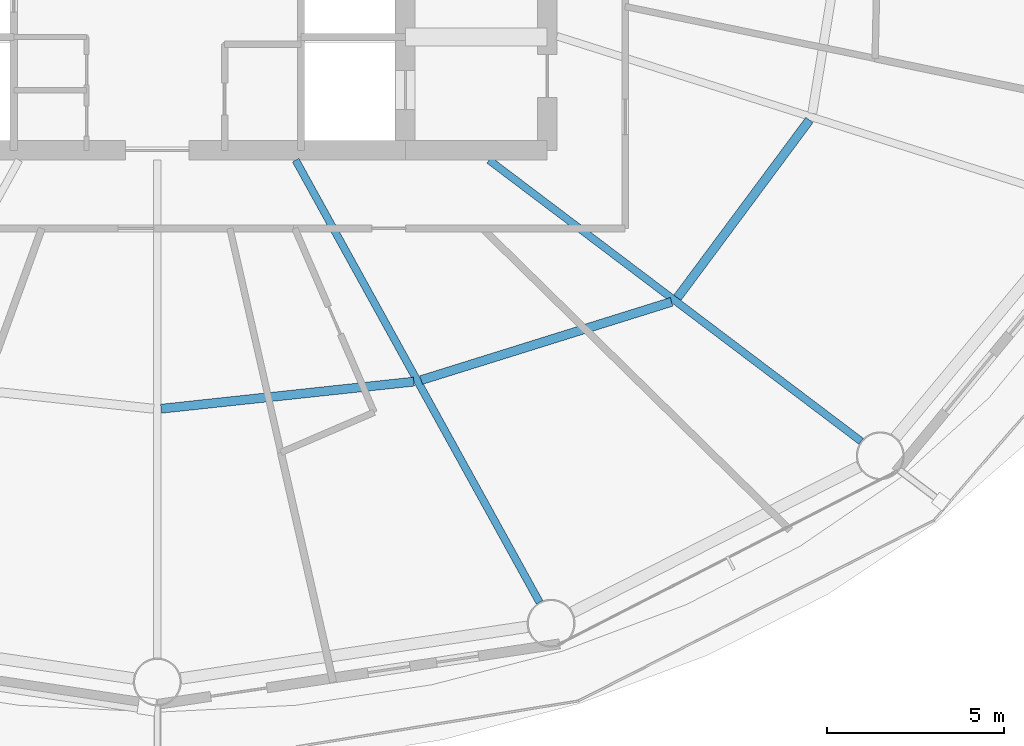
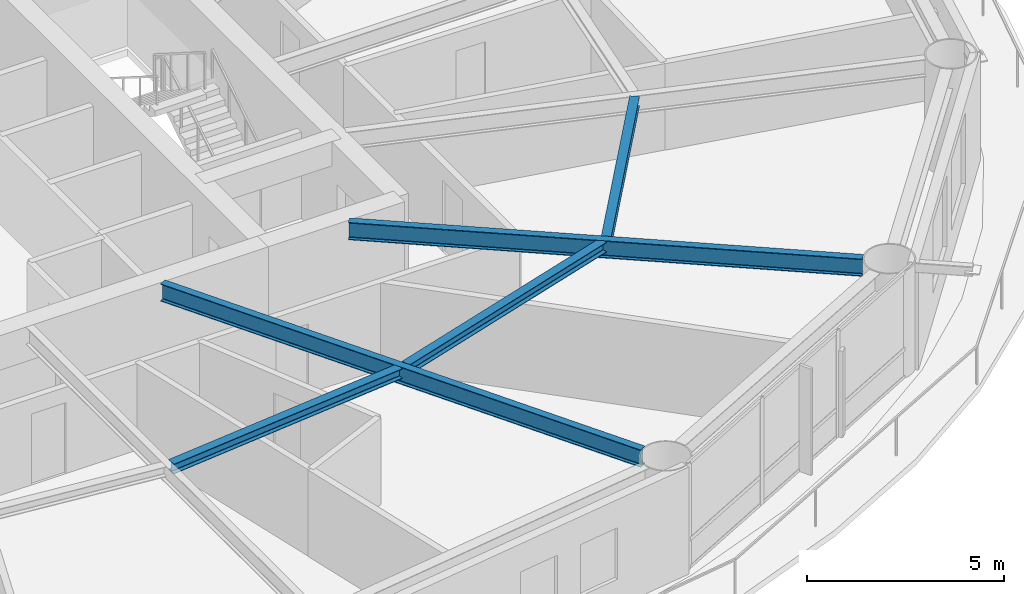
# One storey, part 5 of 24: 5 beams.
"""IFC4 building model written with IfcOpenShell, lengths in metres."""

from ifc_helpers import new_model, si_unit, direction, frame, origin, origin_2d, place, context, subcontext, project, spatial, i_section, extrude, material, material_profile, profile_set, type_object, element, save


model = new_model("IFC4")

# Units and contexts
model_context = context("Model", 3, precision=1e-05, world=origin(), true_north=direction((0.0, 1.0)))
body_context = subcontext(model_context, "Body", "Model", "MODEL_VIEW")
ifc_project = project(units=[si_unit("LENGTHUNIT", "METRE"), si_unit("AREAUNIT", "SQUARE_METRE"), si_unit("VOLUMEUNIT", "CUBIC_METRE"), si_unit("PLANEANGLEUNIT", "RADIAN"), si_unit("MASSUNIT", "GRAM", prefix="KILO")], contexts=[model_context])

# Site, building, storey
site_placement = place(None, origin())
site = spatial("IfcSite", under=ifc_project, at=site_placement, CompositionType="ELEMENT")
building_placement = place(site_placement, origin())
building = spatial("IfcBuilding", under=site, at=building_placement, Name="Sarneth Arch Tower", CompositionType="ELEMENT")
storey_placement = place(building_placement, frame((0.0, 0.0, 130.800048828125)))
storey = spatial("IfcBuildingStorey", under=building, at=storey_placement, Name="L33", CompositionType="ELEMENT", Elevation=130.800048828125)

# Beams
ifc_material_1 = material(Name="Steel S355", Category="steel")
ifc_material_profile_1 = material_profile(ifc_material_1, i_section(OverallWidth=0.25390625, OverallDepth=0.305908203125, WebThickness=0.0087890625, FlangeThickness=0.0146484375, FilletRadius=0.014892578125, at=origin_2d()), Name="W310x79")
ifc_profile_set_1 = profile_set([ifc_material_profile_1], Name="Steel S355")
beam_type_1 = type_object("IfcBeamType", Name="BM-JOIST-310A", PredefinedType="JOIST", material=ifc_profile_set_1)
beam_1_placement = place(storey_placement, frame((48.10498046875, 27.9111328125, 3.1669921875), z_axis=(0.99429330851, 0.106680910441, 0.0), x_axis=(-0.106680910441, 0.99429330851, 0.0)))
element("IfcBeam", 1, at=beam_1_placement, inside=storey, type_object=beam_type_1, Name="L33 Secondary floor joist 13", PredefinedType="JOIST", context=body_context, shape_type="SweptSolid", body=[
    extrude(i_section(OverallWidth=0.25390625, OverallDepth=0.305908203125, WebThickness=0.0087890625, FlangeThickness=0.0146484375, FilletRadius=0.014892578125, at=origin_2d()), origin(), (0.0, 0.0, 1.0), 7.174560546875),
])
beam_2_placement = place(storey_placement, frame((55.4443359375, 28.71923828125, 3.1669921875), z_axis=(0.9544870201, 0.298252457594, 0.0), x_axis=(-0.298252457594, 0.9544870201, 0.0)))
element("IfcBeam", 2, at=beam_2_placement, inside=storey, type_object=beam_type_1, Name="L33 Secondary floor joist 14", PredefinedType="JOIST", context=body_context, shape_type="SweptSolid", body=[
    extrude(i_section(OverallWidth=0.25390625, OverallDepth=0.305908203125, WebThickness=0.0087890625, FlangeThickness=0.0146484375, FilletRadius=0.014892578125, at=origin_2d()), origin(), (0.0, 0.0, 1.0), 7.40234375),
])
beam_3_placement = place(storey_placement, frame((62.67333984375, 31.043212890625, 3.1669921875), z_axis=(0.596354224217, 0.80272139579, 0.0), x_axis=(-0.80272139579, 0.596354224217, 0.0)))
element("IfcBeam", 3, at=beam_3_placement, inside=storey, type_object=beam_type_1, Name="L33 Secondary floor joist 15", PredefinedType="JOIST", context=body_context, shape_type="SweptSolid", body=[
    extrude(i_section(OverallWidth=0.25390625, OverallDepth=0.305908203125, WebThickness=0.0087890625, FlangeThickness=0.0146484375, FilletRadius=0.014892578125, at=origin_2d()), origin(), (0.0, 0.0, 1.0), 6.246337890625),
])
ifc_material_2 = material(Name="Steel S355", Category="steel")
ifc_material_profile_2 = material_profile(ifc_material_2, i_section(OverallWidth=0.2109375, OverallDepth=0.5390625, WebThickness=0.01171875, FlangeThickness=0.018798828125, FilletRadius=0.01806640625, at=origin_2d()), Name="W530x109")
ifc_profile_set_2 = profile_set([ifc_material_profile_2], Name="Steel S355")
beam_type_2 = type_object("IfcBeamType", Name="BM-RAD-530B", PredefinedType="BEAM", material=ifc_profile_set_2)
beam_4_placement = place(storey_placement, frame((51.90283203125, 34.925048828125, 3.050537109375), z_axis=(0.48301301286, -0.875613173387, 0.0), x_axis=(0.875613173387, 0.48301301286, 0.0)))
element("IfcBeam", 4, at=beam_4_placement, inside=storey, type_object=beam_type_2, Name="L33 Radial floor girder 14", PredefinedType="BEAM", context=body_context, shape_type="SweptSolid", body=[
    extrude(i_section(OverallWidth=0.2109375, OverallDepth=0.5390625, WebThickness=0.01171875, FlangeThickness=0.018798828125, FilletRadius=0.01806640625, at=origin_2d()), origin(), (0.0, 0.0, 1.0), 14.246826171875),
])
beam_5_placement = place(storey_placement, frame((57.36181640625, 34.925048828125, 3.050537109375), z_axis=(0.797801476102, -0.602920230818, 0.0), x_axis=(0.602920230818, 0.797801476102, 0.0)))
element("IfcBeam", 5, at=beam_5_placement, inside=storey, type_object=beam_type_2, Name="L33 Radial floor girder 15", PredefinedType="BEAM", context=body_context, shape_type="SweptSolid", body=[
    extrude(i_section(OverallWidth=0.2109375, OverallDepth=0.5390625, WebThickness=0.01171875, FlangeThickness=0.018798828125, FilletRadius=0.01806640625, at=origin_2d()), origin(), (0.0, 0.0, 1.0), 13.15771484375),
])

save(model, "model.ifc")
